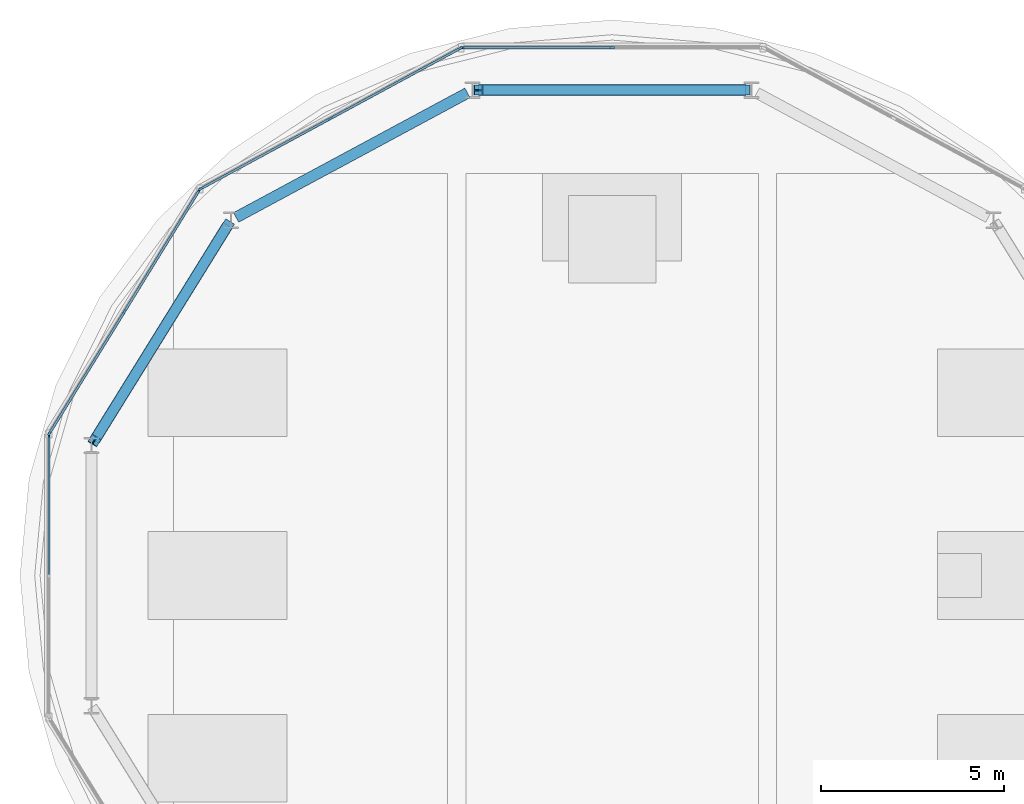
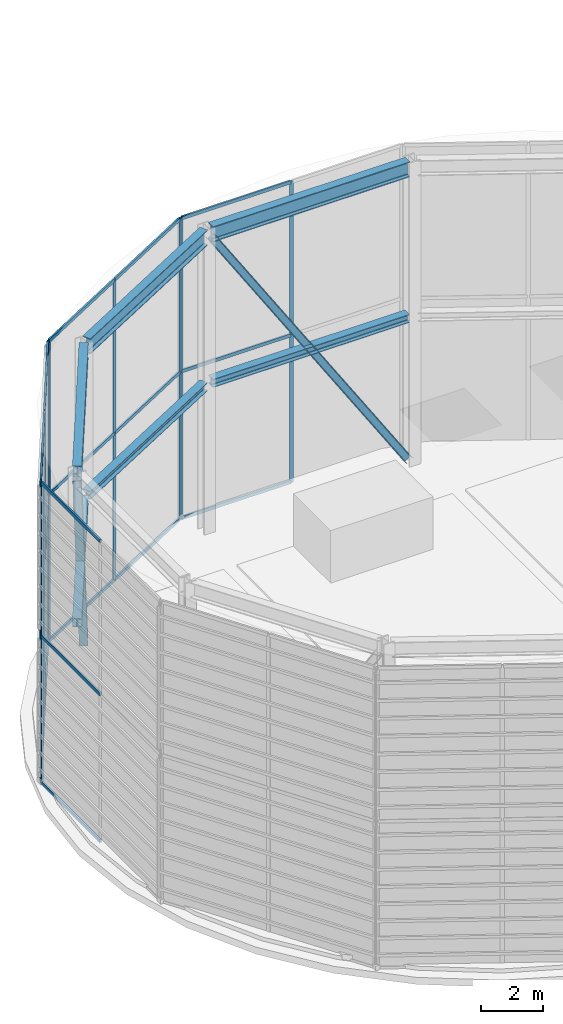
# One storey, part 5 of 17: 29 members, 6 beams, 4 elements without a shape of their own.
"""IFC4 building model written with IfcOpenShell, lengths in metres."""

from ifc_helpers import new_model, si_unit, direction, frame, origin, origin_2d, place, context, subcontext, project, spatial, rectangle, i_section, extrude, source, transform, mapped, material, layer, layer_set, material_profile, profile_set, type_object, type_shapes, element, aggregate, save


model = new_model("IFC4")

# Units and contexts
model_context = context("Model", 3, precision=1e-05, world=origin(), true_north=direction((0.0, 1.0)))
body_context = subcontext(model_context, "Body", "Model", "MODEL_VIEW")
ifc_project = project(units=[si_unit("LENGTHUNIT", "METRE"), si_unit("AREAUNIT", "SQUARE_METRE"), si_unit("VOLUMEUNIT", "CUBIC_METRE"), si_unit("PLANEANGLEUNIT", "RADIAN"), si_unit("MASSUNIT", "GRAM", prefix="KILO")], contexts=[model_context])

# Site, building, storey
site_placement = place(None, origin())
site = spatial("IfcSite", under=ifc_project, at=site_placement, CompositionType="ELEMENT")
building_placement = place(site_placement, origin())
building = spatial("IfcBuilding", under=site, at=building_placement, Name="Norrkilde Senior Care Towers", CompositionType="ELEMENT")
storey_placement = place(building_placement, frame((0.0, 0.0, 249.85009765625)))
storey = spatial("IfcBuildingStorey", under=building, at=storey_placement, Name="RF", CompositionType="ELEMENT", Elevation=249.85009765625)

# Beams
ifc_material_1 = material(Name="Steel S355", Category="steel")
ifc_material_profile_1 = material_profile(ifc_material_1, i_section(OverallWidth=0.300048828125, OverallDepth=0.60009765625, WebThickness=0.015380859375, FlangeThickness=0.030029296875, FilletRadius=0.027099609375, at=origin_2d()), Name="HEB 600")
ifc_profile_set_1 = profile_set([ifc_material_profile_1], Name="Steel S355")
beam_type_1 = type_object("IfcBeamType", Name="Crown Ring Top Girder CROWN FRAME", PredefinedType="USERDEFINED", material=ifc_profile_set_1)
shared_shape_1 = source(origin(), body_context, "Body", "SweptSolid", [
    extrude(i_section(OverallWidth=0.300048828125, OverallDepth=0.60009765625, WebThickness=0.015380859375, FlangeThickness=0.030029296875, FilletRadius=0.027099609375, at=origin_2d()), origin(), (0.0, 0.0, 1.0), 6.93017578125),
])
beam_1_placement = place(storey_placement, frame((-38.51416015625, 9.586669921875, 11.809814453125), z_axis=(-0.526520754643, -0.850162275645, 0.0), x_axis=(0.850162275645, -0.526520754643, 0.0)))
element("IfcBeam", 1, at=beam_1_placement, inside=storey, type_object=beam_type_1, Name="RF Drum W Crown Ring Top Girder 05 CROWN FRAME", ObjectType="GIRDER", PredefinedType="USERDEFINED", context=body_context, shape_type="MappedRepresentation", body=[
    mapped(shared_shape_1, transform((0.0, 0.0, 0.0), x_axis=(1.0, 0.0, 0.0), y_axis=(0.0, 1.0, 0.0), z_axis=(0.0, 0.0, 1.0), scale=1.0)),
])
ifc_material_profile_2 = material_profile(ifc_material_1, i_section(OverallWidth=0.300048828125, OverallDepth=0.320068359375, WebThickness=0.011474609375, FlangeThickness=0.0205078125, FilletRadius=0.027099609375, at=origin_2d()), Name="HEB 320")
ifc_profile_set_2 = profile_set([ifc_material_profile_2], Name="Steel S355")
beam_type_2 = type_object("IfcBeamType", Name="Crown Ring Mid Spandrel CROWN FRAME", PredefinedType="SPANDREL", material=ifc_profile_set_2)
shared_shape_2 = source(origin(), body_context, "Body", "SweptSolid", [
    extrude(i_section(OverallWidth=0.300048828125, OverallDepth=0.320068359375, WebThickness=0.011474609375, FlangeThickness=0.0205078125, FilletRadius=0.027099609375, at=origin_2d()), origin(), (0.0, 0.0, 1.0), 6.93017578125),
])
beam_2_placement = place(storey_placement, frame((-38.51416015625, 9.586669921875, 5.949951171875), z_axis=(-0.526520754643, -0.850162275645, 0.0), x_axis=(0.850162275645, -0.526520754643, 0.0)))
element("IfcBeam", 2, at=beam_2_placement, inside=storey, type_object=beam_type_2, Name="RF Drum W Crown Ring Mid Spandrel 05 CROWN FRAME", PredefinedType="SPANDREL", context=body_context, shape_type="MappedRepresentation", body=[
    mapped(shared_shape_2, transform((0.0, 0.0, 0.0), x_axis=(1.0, 0.0, 0.0), y_axis=(0.0, 1.0, 0.0), z_axis=(0.0, 0.0, 1.0), scale=1.0)),
])

# Member
ifc_material_profile_3 = material_profile(ifc_material_1, i_section(OverallWidth=0.280029296875, OverallDepth=0.280029296875, WebThickness=0.010498046875, FlangeThickness=0.01806640625, FilletRadius=0.02392578125, at=origin_2d()), Name="HEB 280")
ifc_profile_set_3 = profile_set([ifc_material_profile_3], Name="Steel S355")
member_type_1 = type_object("IfcMemberType", Name="Crown Frame Brace CROWN FRAME", PredefinedType="BRACE", material=ifc_profile_set_3)
shared_shape_3 = source(origin(), body_context, "Body", "SweptSolid", [
    extrude(i_section(OverallWidth=0.280029296875, OverallDepth=0.280029296875, WebThickness=0.010498046875, FlangeThickness=0.01806640625, FilletRadius=0.02392578125, at=origin_2d()), origin(), (0.0, 0.0, 1.0), 13.264404296875),
])
member_1_placement = place(storey_placement, frame((-38.51416015625, 9.586669921875, 0.349853515625), z_axis=(-0.275090388538, -0.444182814571, 0.852658727378), x_axis=(0.850162275645, -0.526520754643, 0.0)))
element("IfcMember", 3, at=member_1_placement, inside=storey, type_object=member_type_1, Name="RF Drum W Crown Ring Brace 05 CROWN FRAME", PredefinedType="BRACE", context=body_context, shape_type="MappedRepresentation", body=[
    mapped(shared_shape_3, transform((0.0, 0.0, 0.0), x_axis=(1.0, 0.0, 0.0), y_axis=(0.0, 1.0, 0.0), z_axis=(0.0, 0.0, 1.0), scale=1.0)),
])

# Beams
shared_shape_4 = source(origin(), body_context, "Body", "SweptSolid", [
    extrude(i_section(OverallWidth=0.300048828125, OverallDepth=0.60009765625, WebThickness=0.015380859375, FlangeThickness=0.030029296875, FilletRadius=0.027099609375, at=origin_2d()), origin(), (0.0, 0.0, 1.0), 7.18896484375),
])
beam_3_placement = place(storey_placement, frame((-31.95849609375, 13.20556640625, 11.809814453125), z_axis=(-0.880567044237, -0.473921597529, 0.0), x_axis=(0.473921597529, -0.880567044237, 0.0)))
element("IfcBeam", 4, at=beam_3_placement, inside=storey, type_object=beam_type_1, Name="RF Drum W Crown Ring Top Girder 04 CROWN FRAME", ObjectType="GIRDER", PredefinedType="USERDEFINED", context=body_context, shape_type="MappedRepresentation", body=[
    mapped(shared_shape_4, transform((0.0, 0.0, 0.0), x_axis=(1.0, 0.0, 0.0), y_axis=(0.0, 1.0, 0.0), z_axis=(0.0, 0.0, 1.0), scale=1.0)),
])
shared_shape_5 = source(origin(), body_context, "Body", "SweptSolid", [
    extrude(i_section(OverallWidth=0.300048828125, OverallDepth=0.320068359375, WebThickness=0.011474609375, FlangeThickness=0.0205078125, FilletRadius=0.027099609375, at=origin_2d()), origin(), (0.0, 0.0, 1.0), 7.18896484375),
])
beam_4_placement = place(storey_placement, frame((-31.95849609375, 13.20556640625, 5.949951171875), z_axis=(-0.880567044237, -0.473921597529, 0.0), x_axis=(0.473921597529, -0.880567044237, 0.0)))
element("IfcBeam", 5, at=beam_4_placement, inside=storey, type_object=beam_type_2, Name="RF Drum W Crown Ring Mid Spandrel 04 CROWN FRAME", PredefinedType="SPANDREL", context=body_context, shape_type="MappedRepresentation", body=[
    mapped(shared_shape_5, transform((0.0, 0.0, 0.0), x_axis=(1.0, 0.0, 0.0), y_axis=(0.0, 1.0, 0.0), z_axis=(0.0, 0.0, 1.0), scale=1.0)),
])
shared_shape_6 = source(origin(), body_context, "Body", "SweptSolid", [
    extrude(i_section(OverallWidth=0.300048828125, OverallDepth=0.60009765625, WebThickness=0.015380859375, FlangeThickness=0.030029296875, FilletRadius=0.027099609375, at=origin_2d()), origin(), (0.0, 0.0, 1.0), 7.31494140625),
])
type_shapes(beam_type_1, [shared_shape_1, shared_shape_4, shared_shape_6])
beam_5_placement = place(storey_placement, frame((-24.342529296875, 13.281494140625, 11.809814453125), z_axis=(-1.0, 0.0, 0.0), x_axis=(0.0, -1.0, 0.0)))
element("IfcBeam", 6, at=beam_5_placement, inside=storey, type_object=beam_type_1, Name="RF Drum W Crown Ring Top Girder 03 CROWN FRAME", ObjectType="GIRDER", PredefinedType="USERDEFINED", context=body_context, shape_type="MappedRepresentation", body=[
    mapped(shared_shape_6, transform((0.0, 0.0, 0.0), x_axis=(1.0, 0.0, 0.0), y_axis=(0.0, 1.0, 0.0), z_axis=(0.0, 0.0, 1.0), scale=1.0)),
])
shared_shape_7 = source(origin(), body_context, "Body", "SweptSolid", [
    extrude(i_section(OverallWidth=0.300048828125, OverallDepth=0.320068359375, WebThickness=0.011474609375, FlangeThickness=0.0205078125, FilletRadius=0.027099609375, at=origin_2d()), origin(), (0.0, 0.0, 1.0), 7.31494140625),
])
type_shapes(beam_type_2, [shared_shape_2, shared_shape_5, shared_shape_7])
beam_6_placement = place(storey_placement, frame((-24.342529296875, 13.281494140625, 5.949951171875), z_axis=(-1.0, 0.0, 0.0), x_axis=(0.0, -1.0, 0.0)))
element("IfcBeam", 7, at=beam_6_placement, inside=storey, type_object=beam_type_2, Name="RF Drum W Crown Ring Mid Spandrel 03 CROWN FRAME", PredefinedType="SPANDREL", context=body_context, shape_type="MappedRepresentation", body=[
    mapped(shared_shape_7, transform((0.0, 0.0, 0.0), x_axis=(1.0, 0.0, 0.0), y_axis=(0.0, 1.0, 0.0), z_axis=(0.0, 0.0, 1.0), scale=1.0)),
])

# Member
shared_shape_8 = source(origin(), body_context, "Body", "SweptSolid", [
    extrude(i_section(OverallWidth=0.280029296875, OverallDepth=0.280029296875, WebThickness=0.010498046875, FlangeThickness=0.01806640625, FilletRadius=0.02392578125, at=origin_2d()), origin(), (0.0, 0.0, 1.0), 13.469482421875),
])
type_shapes(member_type_1, [shared_shape_3, shared_shape_8])
member_2_placement = place(storey_placement, frame((-24.342529296875, 13.281494140625, 0.349853515625), z_axis=(-0.543076907757, 0.0, 0.839682959373), x_axis=(0.0, -1.0, 0.0)))
element("IfcMember", 8, at=member_2_placement, inside=storey, type_object=member_type_1, Name="RF Drum W Crown Ring Brace 03 CROWN FRAME", PredefinedType="BRACE", context=body_context, shape_type="MappedRepresentation", body=[
    mapped(shared_shape_8, transform((0.0, 0.0, 0.0), x_axis=(1.0, 0.0, 0.0), y_axis=(0.0, 1.0, 0.0), z_axis=(0.0, 0.0, 1.0), scale=1.0)),
])

# Curtain wall, members
ifc_material_2 = material(Name="Triple Low-E Insulated Glazing", Category="glass")
ifc_layer = layer(ifc_material_2, 0.205078125)
ifc_layer_set = layer_set([ifc_layer], Name="Triple Low-E Insulated Glazing")
curtain_wall_type = type_object("IfcCurtainWallType", Name="CW7 L76 Damper Lantern Clear Curtain Wall", PredefinedType="NOTDEFINED", material=ifc_layer_set)
curtain_wall_1_placement = place(storey_placement, origin())
curtain_wall_1 = element("IfcCurtainWall", 9, at=curtain_wall_1_placement, inside=storey, type_object=curtain_wall_type, Name="RF Ring Crown W Screen Wall 02", PredefinedType="NOTDEFINED")
ifc_material_3 = material(Name="Anodised Aluminium", Category="aluminium")
ifc_material_profile_4 = material_profile(ifc_material_3, rectangle(XDim=0.06005859375, YDim=0.139892578125, at=origin_2d()), Name="ALU MULL 60x140")
ifc_profile_set_4 = profile_set([ifc_material_profile_4], Name="Anodised Aluminium")
member_type_2 = type_object("IfcMemberType", Name="Curtain Wall Mullion Lantern 60x140", PredefinedType="MULLION", material=ifc_profile_set_4)
shared_shape_9 = source(origin(), body_context, "Body", "SweptSolid", [
    extrude(rectangle(XDim=0.06005859375, YDim=0.139892578125, at=origin_2d()), origin(), (0.0, 0.0, 1.0), 11.849853515625),
])
type_shapes(member_type_2, [shared_shape_9])
member_3_placement = place(storey_placement, frame((-32.09814453125, 14.440673828125, 0.0), z_axis=(0.0, 0.0, 1.0), x_axis=(0.0, 1.0, 0.0)))
member_3 = element("IfcMember", 10, at=member_3_placement, type_object=member_type_2, Name="CW-7 mullion 1", PredefinedType="MULLION", context=body_context, shape_type="MappedRepresentation", body=[
    mapped(shared_shape_9, transform((0.0, 0.0, 0.0), x_axis=(1.0, 0.0, 0.0), y_axis=(0.0, 1.0, 0.0), z_axis=(0.0, 0.0, 1.0), scale=1.0)),
])
member_4_placement = place(storey_placement, frame((-28.0, 14.440673828125, 0.0), z_axis=(0.0, 0.0, 1.0), x_axis=(0.0, 1.0, 0.0)))
member_4 = element("IfcMember", 11, at=member_4_placement, type_object=member_type_2, Name="CW-7 mullion 2", PredefinedType="MULLION", context=body_context, shape_type="MappedRepresentation", body=[
    mapped(shared_shape_9, transform((0.0, 0.0, 0.0), x_axis=(1.0, 0.0, 0.0), y_axis=(0.0, 1.0, 0.0), z_axis=(0.0, 0.0, 1.0), scale=1.0)),
])

curtain_wall_2_placement = place(storey_placement, origin())
curtain_wall_2 = element("IfcCurtainWall", 12, at=curtain_wall_2_placement, inside=storey, type_object=curtain_wall_type, Name="RF Ring Crown W Screen Wall 03", PredefinedType="NOTDEFINED")
member_5_placement = place(storey_placement, frame((-39.251953125, 10.58544921875, 0.0), z_axis=(0.0, 0.0, 1.0), x_axis=(-0.475933713829, 0.879481153886, 0.0)))
member_5 = element("IfcMember", 13, at=member_5_placement, type_object=member_type_2, Name="CW-7 mullion 1", PredefinedType="MULLION", context=body_context, shape_type="MappedRepresentation", body=[
    mapped(shared_shape_9, transform((0.0, 0.0, 0.0), x_axis=(1.0, 0.0, 0.0), y_axis=(0.0, 1.0, 0.0), z_axis=(0.0, 0.0, 1.0), scale=1.0)),
])
member_6_placement = place(storey_placement, frame((-35.703369140625, 12.505859375, 0.0), z_axis=(0.0, 0.0, 1.0), x_axis=(-0.475933713829, 0.879481153886, 0.0)))
member_6 = element("IfcMember", 14, at=member_6_placement, type_object=member_type_2, Name="CW-7 mullion 2", PredefinedType="MULLION", context=body_context, shape_type="MappedRepresentation", body=[
    mapped(shared_shape_9, transform((0.0, 0.0, 0.0), x_axis=(1.0, 0.0, 0.0), y_axis=(0.0, 1.0, 0.0), z_axis=(0.0, 0.0, 1.0), scale=1.0)),
])
member_7_placement = place(storey_placement, frame((-32.154541015625, 14.42626953125, 0.0), z_axis=(0.0, 0.0, 1.0), x_axis=(-0.475933713829, 0.879481153886, 0.0)))
member_7 = element("IfcMember", 15, at=member_7_placement, type_object=member_type_2, Name="CW-7 mullion 3", PredefinedType="MULLION", context=body_context, shape_type="MappedRepresentation", body=[
    mapped(shared_shape_9, transform((0.0, 0.0, 0.0), x_axis=(1.0, 0.0, 0.0), y_axis=(0.0, 1.0, 0.0), z_axis=(0.0, 0.0, 1.0), scale=1.0)),
])

curtain_wall_3_placement = place(storey_placement, origin())
curtain_wall_3 = element("IfcCurtainWall", 16, at=curtain_wall_3_placement, inside=storey, type_object=curtain_wall_type, Name="RF Ring Crown W Screen Wall 04", PredefinedType="NOTDEFINED")
member_8_placement = place(storey_placement, frame((-43.390869140625, 3.894775390625, 0.0), z_axis=(0.0, 0.0, 1.0), x_axis=(-0.85143610846, 0.524458342684, 0.0)))
member_8 = element("IfcMember", 17, at=member_8_placement, type_object=member_type_2, Name="CW-7 mullion 1", PredefinedType="MULLION", context=body_context, shape_type="MappedRepresentation", body=[
    mapped(shared_shape_9, transform((0.0, 0.0, 0.0), x_axis=(1.0, 0.0, 0.0), y_axis=(0.0, 1.0, 0.0), z_axis=(0.0, 0.0, 1.0), scale=1.0)),
])
member_9_placement = place(storey_placement, frame((-41.342529296875, 7.22021484375, 0.0), z_axis=(0.0, 0.0, 1.0), x_axis=(-0.85143610846, 0.524458342684, 0.0)))
member_9 = element("IfcMember", 18, at=member_9_placement, type_object=member_type_2, Name="CW-7 mullion 2", PredefinedType="MULLION", context=body_context, shape_type="MappedRepresentation", body=[
    mapped(shared_shape_9, transform((0.0, 0.0, 0.0), x_axis=(1.0, 0.0, 0.0), y_axis=(0.0, 1.0, 0.0), z_axis=(0.0, 0.0, 1.0), scale=1.0)),
])
member_10_placement = place(storey_placement, frame((-39.294189453125, 10.545654296875, 0.0), z_axis=(0.0, 0.0, 1.0), x_axis=(-0.85143610846, 0.524458342684, 0.0)))
member_10 = element("IfcMember", 19, at=member_10_placement, type_object=member_type_2, Name="CW-7 mullion 3", PredefinedType="MULLION", context=body_context, shape_type="MappedRepresentation", body=[
    mapped(shared_shape_9, transform((0.0, 0.0, 0.0), x_axis=(1.0, 0.0, 0.0), y_axis=(0.0, 1.0, 0.0), z_axis=(0.0, 0.0, 1.0), scale=1.0)),
])

# Curtain wall, member
curtain_wall_4_placement = place(storey_placement, origin())
curtain_wall_4 = element("IfcCurtainWall", 20, at=curtain_wall_4_placement, inside=storey, type_object=curtain_wall_type, Name="RF Ring Crown W Screen Wall 05", PredefinedType="NOTDEFINED")
member_11_placement = place(storey_placement, frame((-43.406494140625, 3.83935546875, 0.0), z_axis=(0.0, 0.0, 1.0), x_axis=(-1.0, 0.0, 0.0)))
member_11 = element("IfcMember", 21, at=member_11_placement, type_object=member_type_2, Name="CW-7 mullion 3", PredefinedType="MULLION", context=body_context, shape_type="MappedRepresentation", body=[
    mapped(shared_shape_9, transform((0.0, 0.0, 0.0), x_axis=(1.0, 0.0, 0.0), y_axis=(0.0, 1.0, 0.0), z_axis=(0.0, 0.0, 1.0), scale=1.0)),
])

# Member
ifc_material_profile_5 = material_profile(ifc_material_3, rectangle(XDim=0.06494140625, YDim=0.1298828125, at=origin_2d()), Name="ALU TRAN 65x130")
ifc_profile_set_5 = profile_set([ifc_material_profile_5], Name="Anodised Aluminium")
member_type_3 = type_object("IfcMemberType", Name="Curtain Wall Transom Heavy 65x130", PredefinedType="USERDEFINED", material=ifc_profile_set_5)
shared_shape_10 = source(origin(), body_context, "Body", "SweptSolid", [
    extrude(rectangle(XDim=0.06494140625, YDim=0.1298828125, at=origin_2d()), origin(), (0.0, 0.0, 1.0), 3.845703125),
])
member_12_placement = place(storey_placement, frame((-43.375, 3.92041015625, 0.032470703125), z_axis=(0.524440959275, 0.851446815858, 0.0), x_axis=(-0.851446815858, 0.524440959275, 0.0)))
member_12 = element("IfcMember", 22, at=member_12_placement, type_object=member_type_3, Name="CW-7 transom 1.1", ObjectType="TRANSOM", PredefinedType="USERDEFINED", context=body_context, shape_type="MappedRepresentation", body=[
    mapped(shared_shape_10, transform((0.0, 0.0, 0.0), x_axis=(1.0, 0.0, 0.0), y_axis=(0.0, 1.0, 0.0), z_axis=(0.0, 0.0, 1.0), scale=1.0)),
])

member_13_placement = place(storey_placement, frame((-43.375, 3.92041015625, 5.7998046875), z_axis=(0.524440959275, 0.851446815858, 0.0), x_axis=(-0.851446815858, 0.524440959275, 0.0)))
member_13 = element("IfcMember", 23, at=member_13_placement, type_object=member_type_3, Name="CW-7 transom 1.2", ObjectType="TRANSOM", PredefinedType="USERDEFINED", context=body_context, shape_type="MappedRepresentation", body=[
    mapped(shared_shape_10, transform((0.0, 0.0, 0.0), x_axis=(1.0, 0.0, 0.0), y_axis=(0.0, 1.0, 0.0), z_axis=(0.0, 0.0, 1.0), scale=1.0)),
])

member_14_placement = place(storey_placement, frame((-43.375, 3.92041015625, 11.8173828125), z_axis=(0.524440959275, 0.851446815858, 0.0), x_axis=(-0.851446815858, 0.524440959275, 0.0)))
member_14 = element("IfcMember", 24, at=member_14_placement, type_object=member_type_3, Name="CW-7 transom 1.3", ObjectType="TRANSOM", PredefinedType="USERDEFINED", context=body_context, shape_type="MappedRepresentation", body=[
    mapped(shared_shape_10, transform((0.0, 0.0, 0.0), x_axis=(1.0, 0.0, 0.0), y_axis=(0.0, 1.0, 0.0), z_axis=(0.0, 0.0, 1.0), scale=1.0)),
])

member_15_placement = place(storey_placement, frame((-41.32666015625, 7.245849609375, 0.032470703125), z_axis=(0.524440959275, 0.851446815858, 0.0), x_axis=(-0.851446815858, 0.524440959275, 0.0)))
member_15 = element("IfcMember", 25, at=member_15_placement, type_object=member_type_3, Name="CW-7 transom 2.1", ObjectType="TRANSOM", PredefinedType="USERDEFINED", context=body_context, shape_type="MappedRepresentation", body=[
    mapped(shared_shape_10, transform((0.0, 0.0, 0.0), x_axis=(1.0, 0.0, 0.0), y_axis=(0.0, 1.0, 0.0), z_axis=(0.0, 0.0, 1.0), scale=1.0)),
])

member_16_placement = place(storey_placement, frame((-41.32666015625, 7.245849609375, 5.7998046875), z_axis=(0.524440959275, 0.851446815858, 0.0), x_axis=(-0.851446815858, 0.524440959275, 0.0)))
member_16 = element("IfcMember", 26, at=member_16_placement, type_object=member_type_3, Name="CW-7 transom 2.2", ObjectType="TRANSOM", PredefinedType="USERDEFINED", context=body_context, shape_type="MappedRepresentation", body=[
    mapped(shared_shape_10, transform((0.0, 0.0, 0.0), x_axis=(1.0, 0.0, 0.0), y_axis=(0.0, 1.0, 0.0), z_axis=(0.0, 0.0, 1.0), scale=1.0)),
])

member_17_placement = place(storey_placement, frame((-41.32666015625, 7.245849609375, 11.8173828125), z_axis=(0.524440959275, 0.851446815858, 0.0), x_axis=(-0.851446815858, 0.524440959275, 0.0)))
member_17 = element("IfcMember", 27, at=member_17_placement, type_object=member_type_3, Name="CW-7 transom 2.3", ObjectType="TRANSOM", PredefinedType="USERDEFINED", context=body_context, shape_type="MappedRepresentation", body=[
    mapped(shared_shape_10, transform((0.0, 0.0, 0.0), x_axis=(1.0, 0.0, 0.0), y_axis=(0.0, 1.0, 0.0), z_axis=(0.0, 0.0, 1.0), scale=1.0)),
])

aggregate(curtain_wall_3, [member_8, member_9, member_10, member_12, member_13, member_14, member_15, member_16, member_17])

shared_shape_11 = source(origin(), body_context, "Body", "SweptSolid", [
    extrude(rectangle(XDim=0.06494140625, YDim=0.1298828125, at=origin_2d()), origin(), (0.0, 0.0, 1.0), 3.974853515625),
])
member_18_placement = place(storey_placement, frame((-39.2255859375, 10.599853515625, 0.032470703125), z_axis=(0.879475172581, 0.475944766557, 0.0), x_axis=(-0.475944766557, 0.879475172581, 0.0)))
member_18 = element("IfcMember", 28, at=member_18_placement, type_object=member_type_3, Name="CW-7 transom 1.1", ObjectType="TRANSOM", PredefinedType="USERDEFINED", context=body_context, shape_type="MappedRepresentation", body=[
    mapped(shared_shape_11, transform((0.0, 0.0, 0.0), x_axis=(1.0, 0.0, 0.0), y_axis=(0.0, 1.0, 0.0), z_axis=(0.0, 0.0, 1.0), scale=1.0)),
])

member_19_placement = place(storey_placement, frame((-39.2255859375, 10.599853515625, 5.7998046875), z_axis=(0.879475172581, 0.475944766557, 0.0), x_axis=(-0.475944766557, 0.879475172581, 0.0)))
member_19 = element("IfcMember", 29, at=member_19_placement, type_object=member_type_3, Name="CW-7 transom 1.2", ObjectType="TRANSOM", PredefinedType="USERDEFINED", context=body_context, shape_type="MappedRepresentation", body=[
    mapped(shared_shape_11, transform((0.0, 0.0, 0.0), x_axis=(1.0, 0.0, 0.0), y_axis=(0.0, 1.0, 0.0), z_axis=(0.0, 0.0, 1.0), scale=1.0)),
])

member_20_placement = place(storey_placement, frame((-39.2255859375, 10.599853515625, 11.8173828125), z_axis=(0.879475172581, 0.475944766557, 0.0), x_axis=(-0.475944766557, 0.879475172581, 0.0)))
member_20 = element("IfcMember", 30, at=member_20_placement, type_object=member_type_3, Name="CW-7 transom 1.3", ObjectType="TRANSOM", PredefinedType="USERDEFINED", context=body_context, shape_type="MappedRepresentation", body=[
    mapped(shared_shape_11, transform((0.0, 0.0, 0.0), x_axis=(1.0, 0.0, 0.0), y_axis=(0.0, 1.0, 0.0), z_axis=(0.0, 0.0, 1.0), scale=1.0)),
])

member_21_placement = place(storey_placement, frame((-35.6767578125, 12.520263671875, 0.032470703125), z_axis=(0.879475172581, 0.475944766557, 0.0), x_axis=(-0.475944766557, 0.879475172581, 0.0)))
member_21 = element("IfcMember", 31, at=member_21_placement, type_object=member_type_3, Name="CW-7 transom 2.1", ObjectType="TRANSOM", PredefinedType="USERDEFINED", context=body_context, shape_type="MappedRepresentation", body=[
    mapped(shared_shape_11, transform((0.0, 0.0, 0.0), x_axis=(1.0, 0.0, 0.0), y_axis=(0.0, 1.0, 0.0), z_axis=(0.0, 0.0, 1.0), scale=1.0)),
])

member_22_placement = place(storey_placement, frame((-35.6767578125, 12.520263671875, 5.7998046875), z_axis=(0.879475172581, 0.475944766557, 0.0), x_axis=(-0.475944766557, 0.879475172581, 0.0)))
member_22 = element("IfcMember", 32, at=member_22_placement, type_object=member_type_3, Name="CW-7 transom 2.2", ObjectType="TRANSOM", PredefinedType="USERDEFINED", context=body_context, shape_type="MappedRepresentation", body=[
    mapped(shared_shape_11, transform((0.0, 0.0, 0.0), x_axis=(1.0, 0.0, 0.0), y_axis=(0.0, 1.0, 0.0), z_axis=(0.0, 0.0, 1.0), scale=1.0)),
])

member_23_placement = place(storey_placement, frame((-35.6767578125, 12.520263671875, 11.8173828125), z_axis=(0.879475172581, 0.475944766557, 0.0), x_axis=(-0.475944766557, 0.879475172581, 0.0)))
member_23 = element("IfcMember", 33, at=member_23_placement, type_object=member_type_3, Name="CW-7 transom 2.3", ObjectType="TRANSOM", PredefinedType="USERDEFINED", context=body_context, shape_type="MappedRepresentation", body=[
    mapped(shared_shape_11, transform((0.0, 0.0, 0.0), x_axis=(1.0, 0.0, 0.0), y_axis=(0.0, 1.0, 0.0), z_axis=(0.0, 0.0, 1.0), scale=1.0)),
])

aggregate(curtain_wall_2, [member_5, member_6, member_7, member_18, member_19, member_20, member_21, member_22, member_23])

shared_shape_12 = source(origin(), body_context, "Body", "SweptSolid", [
    extrude(rectangle(XDim=0.06494140625, YDim=0.1298828125, at=origin_2d()), origin(), (0.0, 0.0, 1.0), 4.0380859375),
])
member_24_placement = place(storey_placement, frame((-32.068115234375, 14.440673828125, 0.032470703125), z_axis=(1.0, 0.0, 0.0), x_axis=(0.0, 1.0, 0.0)))
member_24 = element("IfcMember", 34, at=member_24_placement, type_object=member_type_3, Name="CW-7 transom 1.1", ObjectType="TRANSOM", PredefinedType="USERDEFINED", context=body_context, shape_type="MappedRepresentation", body=[
    mapped(shared_shape_12, transform((0.0, 0.0, 0.0), x_axis=(1.0, 0.0, 0.0), y_axis=(0.0, 1.0, 0.0), z_axis=(0.0, 0.0, 1.0), scale=1.0)),
])

member_25_placement = place(storey_placement, frame((-32.068115234375, 14.440673828125, 5.7998046875), z_axis=(1.0, 0.0, 0.0), x_axis=(0.0, 1.0, 0.0)))
member_25 = element("IfcMember", 35, at=member_25_placement, type_object=member_type_3, Name="CW-7 transom 1.2", ObjectType="TRANSOM", PredefinedType="USERDEFINED", context=body_context, shape_type="MappedRepresentation", body=[
    mapped(shared_shape_12, transform((0.0, 0.0, 0.0), x_axis=(1.0, 0.0, 0.0), y_axis=(0.0, 1.0, 0.0), z_axis=(0.0, 0.0, 1.0), scale=1.0)),
])

member_26_placement = place(storey_placement, frame((-32.068115234375, 14.440673828125, 11.8173828125), z_axis=(1.0, 0.0, 0.0), x_axis=(0.0, 1.0, 0.0)))
member_26 = element("IfcMember", 36, at=member_26_placement, type_object=member_type_3, Name="CW-7 transom 1.3", ObjectType="TRANSOM", PredefinedType="USERDEFINED", context=body_context, shape_type="MappedRepresentation", body=[
    mapped(shared_shape_12, transform((0.0, 0.0, 0.0), x_axis=(1.0, 0.0, 0.0), y_axis=(0.0, 1.0, 0.0), z_axis=(0.0, 0.0, 1.0), scale=1.0)),
])

aggregate(curtain_wall_1, [member_3, member_4, member_24, member_25, member_26])

shared_shape_13 = source(origin(), body_context, "Body", "SweptSolid", [
    extrude(rectangle(XDim=0.06494140625, YDim=0.1298828125, at=origin_2d()), origin(), (0.0, 0.0, 1.0), 3.779296875),
])
type_shapes(member_type_3, [shared_shape_10, shared_shape_11, shared_shape_12, shared_shape_13])
member_27_placement = place(storey_placement, frame((-43.406494140625, 0.030029296875, 0.032470703125), z_axis=(0.0, 1.0, 0.0), x_axis=(-1.0, 0.0, 0.0)))
member_27 = element("IfcMember", 37, at=member_27_placement, type_object=member_type_3, Name="CW-7 transom 2.1", ObjectType="TRANSOM", PredefinedType="USERDEFINED", context=body_context, shape_type="MappedRepresentation", body=[
    mapped(shared_shape_13, transform((0.0, 0.0, 0.0), x_axis=(1.0, 0.0, 0.0), y_axis=(0.0, 1.0, 0.0), z_axis=(0.0, 0.0, 1.0), scale=1.0)),
])

member_28_placement = place(storey_placement, frame((-43.406494140625, 0.030029296875, 5.7998046875), z_axis=(0.0, 1.0, 0.0), x_axis=(-1.0, 0.0, 0.0)))
member_28 = element("IfcMember", 38, at=member_28_placement, type_object=member_type_3, Name="CW-7 transom 2.2", ObjectType="TRANSOM", PredefinedType="USERDEFINED", context=body_context, shape_type="MappedRepresentation", body=[
    mapped(shared_shape_13, transform((0.0, 0.0, 0.0), x_axis=(1.0, 0.0, 0.0), y_axis=(0.0, 1.0, 0.0), z_axis=(0.0, 0.0, 1.0), scale=1.0)),
])

member_29_placement = place(storey_placement, frame((-43.406494140625, 0.030029296875, 11.8173828125), z_axis=(0.0, 1.0, 0.0), x_axis=(-1.0, 0.0, 0.0)))
member_29 = element("IfcMember", 39, at=member_29_placement, type_object=member_type_3, Name="CW-7 transom 2.3", ObjectType="TRANSOM", PredefinedType="USERDEFINED", context=body_context, shape_type="MappedRepresentation", body=[
    mapped(shared_shape_13, transform((0.0, 0.0, 0.0), x_axis=(1.0, 0.0, 0.0), y_axis=(0.0, 1.0, 0.0), z_axis=(0.0, 0.0, 1.0), scale=1.0)),
])

aggregate(curtain_wall_4, [member_11, member_27, member_28, member_29])

save(model, "model.ifc")
